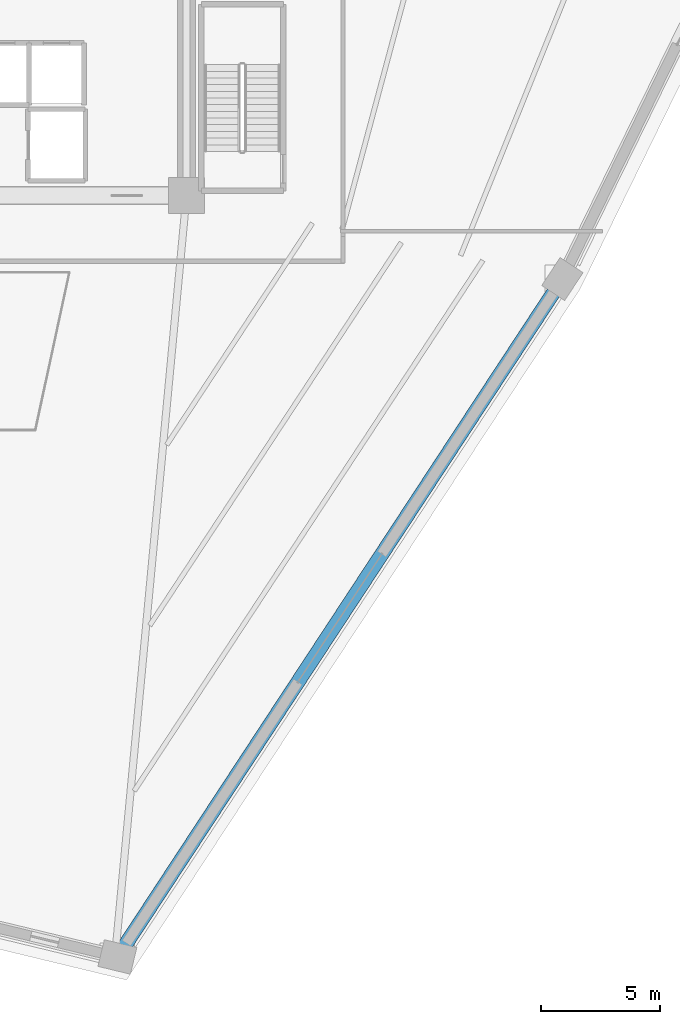
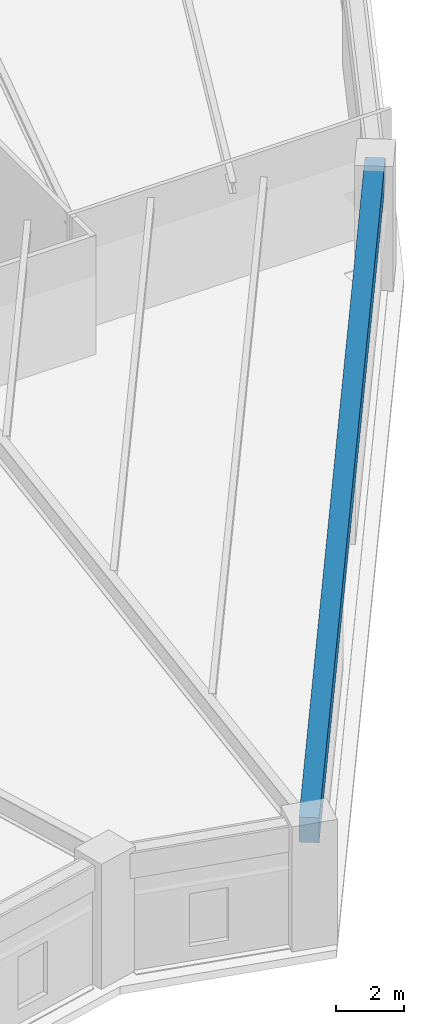
# One storey, part 5 of 30: 1 beam.
"""IFC4 building model written with IfcOpenShell, lengths in metres."""

import ifcopenshell
import ifcopenshell.guid

model = None  # the IFC model being written
_history = None  # IfcOwnerHistory: only IFC2X3 demands one
_inside = {}  # id of a spatial element -> (the spatial element, [elements in it])
_under = {}  # id of a project, library or spatial element -> (it, [spatial elements below it])
_declared = {}  # id of a project -> (the project, [libraries it declares])
_typed = {}  # id of a type object -> (the type object, [elements of that type])
_made_of = {}  # id of a material, layer set ... -> (it, [elements and type objects made of it])


def new_model(schema):
    """Start an empty IFC model of exactly this schema.

    Asked for "IFC4X3", IfcOpenShell would pick the latest addendum, in which some entities
    have other attributes; the version numbers below select the first issue.
    IFC2X3 requires an IfcOwnerHistory on every rooted entity: one is made here for all.
    """
    global model, _history
    if schema == "IFC4X3":
        model = ifcopenshell.file(schema_version=(4, 3, 0, 0))
    else:
        model = ifcopenshell.file(schema=schema)
    _inside.clear()
    _under.clear()
    _declared.clear()
    _typed.clear()
    _made_of.clear()
    _history = None
    if model.schema == "IFC2X3":
        org = make("IfcOrganization", Name="unknown")
        user = make(
            "IfcPersonAndOrganization",
            ThePerson=make("IfcPerson", FamilyName="unknown"),
            TheOrganization=org,
        )
        app = make(
            "IfcApplication",
            ApplicationDeveloper=org,
            Version="unknown",
            ApplicationFullName="unknown",
            ApplicationIdentifier="unknown",
        )
        _history = make(
            "IfcOwnerHistory",
            OwningUser=user,
            OwningApplication=app,
            ChangeAction="ADDED",
            CreationDate=0,
        )
    return model


def make(cls, **values):
    """One entity of the class cls with the attributes given. An attribute that is None is left unset."""
    return model.create_entity(
        cls, **{name: value for name, value in values.items() if value is not None}
    )


def rooted(cls, **values):
    """An entity with a GlobalId (a new one), such as an element, a storey or a relation."""
    return make(cls, GlobalId=ifcopenshell.guid.new(), OwnerHistory=_history, **values)


def si_unit(unit_type, name, prefix=None):
    """IfcSIUnit, for example si_unit("LENGTHUNIT", "METRE", prefix="MILLI")."""
    return make("IfcSIUnit", UnitType=unit_type, Prefix=prefix, Name=name)


def assignment(units):
    """IfcUnitAssignment: the units of a project."""
    return None if units is None else make("IfcUnitAssignment", Units=units)


def point(xyz):
    """IfcCartesianPoint."""
    return None if xyz is None else make("IfcCartesianPoint", Coordinates=xyz)


def direction(xyz):
    """IfcDirection."""
    return None if xyz is None else make("IfcDirection", DirectionRatios=xyz)


def frame(location, z_axis=None, x_axis=None):
    """IfcAxis2Placement3D, a coordinate frame: its origin and axes. An axis left out is left unset."""
    return make(
        "IfcAxis2Placement3D",
        Location=point(location),
        Axis=direction(z_axis),
        RefDirection=direction(x_axis),
    )


def frame_2d(location, x_axis=None):
    """IfcAxis2Placement2D, a coordinate frame in the plane: its origin and x axis."""
    return make(
        "IfcAxis2Placement2D", Location=point(location), RefDirection=direction(x_axis)
    )


def origin():
    """The frame at (0, 0, 0) with its axes left unset."""
    return frame((0.0, 0.0, 0.0))


def origin_2d():
    """The frame at (0, 0) in the plane with its x axis left unset."""
    return frame_2d((0.0, 0.0))


def place(relative_to, where):
    """IfcLocalPlacement: puts the frame where relative to a parent placement (None: the world)."""
    return make(
        "IfcLocalPlacement", PlacementRelTo=relative_to, RelativePlacement=where
    )


def context(
    kind, dimensions, precision=None, world=None, true_north=None, identifier=None
):
    """IfcGeometricRepresentationContext, for example the 3D "Model" context."""
    return make(
        "IfcGeometricRepresentationContext",
        ContextIdentifier=identifier,
        ContextType=kind,
        CoordinateSpaceDimension=dimensions,
        Precision=precision,
        WorldCoordinateSystem=world,
        TrueNorth=true_north,
    )


def subcontext(parent, identifier, kind, view, scale=None):
    """IfcGeometricRepresentationSubContext, for example "Body" below "Model"."""
    return make(
        "IfcGeometricRepresentationSubContext",
        ContextIdentifier=identifier,
        ContextType=kind,
        ParentContext=parent,
        TargetScale=scale,
        TargetView=view,
    )


def project(units=None, contexts=None):
    """IfcProject with its units and contexts."""
    return rooted(
        "IfcProject",
        Name="project",
        RepresentationContexts=contexts,
        UnitsInContext=assignment(units),
    )


def spatial(cls, under=None, at=None, **own):
    """A site, building, storey or space (cls), placed at a placement, below another one or the project."""
    s = rooted(cls, ObjectPlacement=at, **own)
    if under is not None:
        _under.setdefault(under.id(), (under, []))[1].append(s)
    return s


def profile(cls, at=None, kind="AREA", **sizes):
    """A parametric profile (cls). Its sizes go by their IFC names, for example OverallWidth=200.0."""
    return make(cls, ProfileType=kind, Position=at, **sizes)


def rectangle(**sizes):
    """IfcRectangleProfileDef."""
    return profile("IfcRectangleProfileDef", **sizes)


def extrude(swept, where, along, depth):
    """IfcExtrudedAreaSolid: the profile swept, set in the frame where, extruded along a direction by depth."""
    return make(
        "IfcExtrudedAreaSolid",
        SweptArea=swept,
        Position=where,
        ExtrudedDirection=direction(along),
        Depth=depth,
    )


def shape(context_of_items, identifier, shape_type, items):
    """IfcShapeRepresentation: the items that make up one representation, for example the "Body"."""
    return make(
        "IfcShapeRepresentation",
        ContextOfItems=context_of_items,
        RepresentationIdentifier=identifier,
        RepresentationType=shape_type,
        Items=items,
    )


def source(mapping_origin, context_of_items, identifier, shape_type, items):
    """IfcRepresentationMap: a shape defined once, which mapped items show again and again."""
    return make(
        "IfcRepresentationMap",
        MappingOrigin=mapping_origin,
        MappedRepresentation=shape(context_of_items, identifier, shape_type, items),
    )


def transform(
    local_origin,
    x_axis=None,
    y_axis=None,
    z_axis=None,
    scale=None,
    scale2=None,
    scale3=None,
    uniform=True,
):
    """IfcCartesianTransformationOperator3D, or its non-uniform kind. x_axis, y_axis, z_axis: its Axis1, 2, 3."""
    if uniform:
        return make(
            "IfcCartesianTransformationOperator3D",
            Axis1=direction(x_axis),
            Axis2=direction(y_axis),
            LocalOrigin=point(local_origin),
            Scale=scale,
            Axis3=direction(z_axis),
        )
    return make(
        "IfcCartesianTransformationOperator3DnonUniform",
        Axis1=direction(x_axis),
        Axis2=direction(y_axis),
        LocalOrigin=point(local_origin),
        Scale=scale,
        Axis3=direction(z_axis),
        Scale2=scale2,
        Scale3=scale3,
    )


def mapped(mapping_source, mapping_target):
    """IfcMappedItem: shows the shape of a source again, moved by a transform."""
    return make(
        "IfcMappedItem", MappingSource=mapping_source, MappingTarget=mapping_target
    )


def material(Name=None, Category=None):
    """IfcMaterial."""
    return make("IfcMaterial", Name=Name, Category=Category)


def material_profile(
    of_material, cross_section, Name=None, Category=None, Priority=None
):
    """IfcMaterialProfile: a cross section and its material."""
    return make(
        "IfcMaterialProfile",
        Name=Name,
        Material=of_material,
        Profile=cross_section,
        Priority=Priority,
        Category=Category,
    )


def profile_set(profiles, Name=None, composite=None):
    """IfcMaterialProfileSet."""
    return make(
        "IfcMaterialProfileSet",
        Name=Name,
        MaterialProfiles=profiles,
        CompositeProfile=composite,
    )


def made_of(thing, what):
    """Note that an element or type object is made of a material, layer set ...; save() writes the relation."""
    if what is not None:
        _made_of.setdefault(what.id(), (what, []))[1].append(thing)
    return thing


def type_object(cls, material=None, **own):
    """A type object (cls), such as IfcWallType, which elements share."""
    return made_of(rooted(cls, **own), material)


def element(
    cls,
    number,
    at=None,
    inside=None,
    cuts=None,
    type_object=None,
    material=None,
    context=None,
    identifier="Body",
    shape_type=None,
    held_by="IfcProductDefinitionShape",
    body=None,
    shapes=None,
    **own,
):
    """One element of the class cls, such as IfcWall. Its Tag is "e" and its number.

    at: its placement. inside: the storey or other place that contains it. cuts: it is an
    opening in that element (IfcRelVoidsElement). A single representation is given by context,
    identifier, shape_type and body (its items); several are given by shapes. held_by: the class
    of the entity that holds the representations. save() writes the other relations.
    """
    e = rooted(cls, Tag="e%d" % number, ObjectPlacement=at, **own)
    if body is not None:
        shapes = [shape(context, identifier, shape_type, body)]
    if shapes is not None:
        e.Representation = make(held_by, Representations=shapes)
    if inside is not None:
        _inside.setdefault(inside.id(), (inside, []))[1].append(e)
    if cuts is not None:
        rooted(
            "IfcRelVoidsElement", RelatingBuildingElement=cuts, RelatedOpeningElement=e
        )
    if type_object is not None:
        _typed.setdefault(type_object.id(), (type_object, []))[1].append(e)
    return made_of(e, material)


def aggregate(whole, parts):
    """IfcRelAggregates: a whole, such as a stair, and the parts it consists of."""
    return rooted("IfcRelAggregates", RelatingObject=whole, RelatedObjects=parts)


def save(model, path):
    """Write the relations noted so far, then the file.

    IfcRelAggregates (storeys below a building ...), IfcRelContainedInSpatialStructure (elements
    in a storey), IfcRelDefinesByType, IfcRelAssociatesMaterial and IfcRelDeclares: one each for
    every whole, place, type object, material and project.
    """
    for whole, parts in _under.values():
        aggregate(whole, parts)
    for where, things in _inside.values():
        rooted(
            "IfcRelContainedInSpatialStructure",
            RelatedElements=things,
            RelatingStructure=where,
        )
    for kind, things in _typed.values():
        rooted("IfcRelDefinesByType", RelatedObjects=things, RelatingType=kind)
    for what, things in _made_of.values():
        rooted("IfcRelAssociatesMaterial", RelatedObjects=things, RelatingMaterial=what)
    for by, libraries in _declared.values():
        rooted("IfcRelDeclares", RelatingContext=by, RelatedDefinitions=libraries)
    model.write(path)


model = new_model("IFC4")

# Units and contexts
model_context = context("Model", 3, precision=1e-05, world=origin(), true_north=direction((0.0, 1.0)))
body_context = subcontext(model_context, "Body", "Model", "MODEL_VIEW")
ifc_project = project(units=[si_unit("LENGTHUNIT", "METRE"), si_unit("AREAUNIT", "SQUARE_METRE"), si_unit("VOLUMEUNIT", "CUBIC_METRE"), si_unit("PLANEANGLEUNIT", "RADIAN"), si_unit("MASSUNIT", "GRAM", prefix="KILO")], contexts=[model_context])

# Site, building, storey
site_placement = place(None, origin())
site = spatial("IfcSite", under=ifc_project, at=site_placement, CompositionType="ELEMENT")
building_placement = place(site_placement, origin())
building = spatial("IfcBuilding", under=site, at=building_placement, Name="Liaohun Quay Tower", CompositionType="ELEMENT")
storey_placement = place(building_placement, frame((0.0, 0.0, 97.5)))
storey = spatial("IfcBuildingStorey", under=building, at=storey_placement, Name="L25", CompositionType="ELEMENT", Elevation=97.5)

# Beam
ifc_material = material(Name="Precast concrete C55", Category="concrete")
ifc_material_profile = material_profile(ifc_material, rectangle(XDim=0.60009765625, YDim=0.89990234375, at=origin_2d()), Name="RC600x900")
ifc_profile_set = profile_set([ifc_material_profile], Name="Precast concrete C55")
beam_type = type_object("IfcBeamType", Name="BM-SPD-Z2", PredefinedType="SPANDREL", material=ifc_profile_set)
shared_shape = source(origin(), body_context, "Body", "SweptSolid", [
    extrude(rectangle(XDim=0.60009765625, YDim=0.89990234375, at=origin_2d()), origin(), (0.0, 0.0, 1.0), 34.00537109375),
])
beam_placement = place(storey_placement, frame((84.762939453125, 42.9970703125, 3.8701171875), z_axis=(-0.548793025797, -0.83595826142, 0.0), x_axis=(0.83595826142, -0.548793025797, 0.0)))
element("IfcBeam", 1, at=beam_placement, inside=storey, type_object=beam_type, Name="L25 Precast Spandrel Beam PC10-PC11", PredefinedType="SPANDREL", context=body_context, shape_type="MappedRepresentation", body=[
    mapped(shared_shape, transform((0.0, 0.0, 0.0), x_axis=(1.0, 0.0, 0.0), y_axis=(0.0, 1.0, 0.0), z_axis=(0.0, 0.0, 1.0), scale=1.0)),
])

save(model, "model.ifc")
